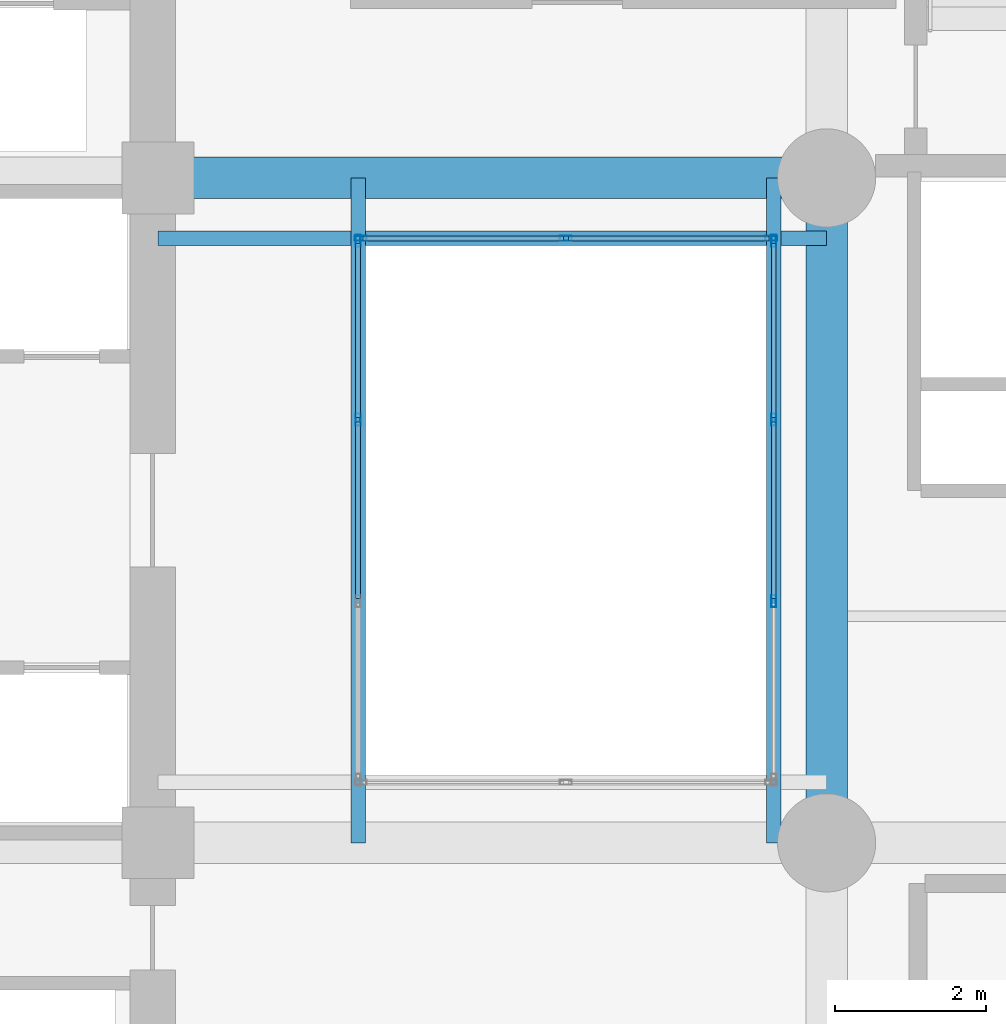
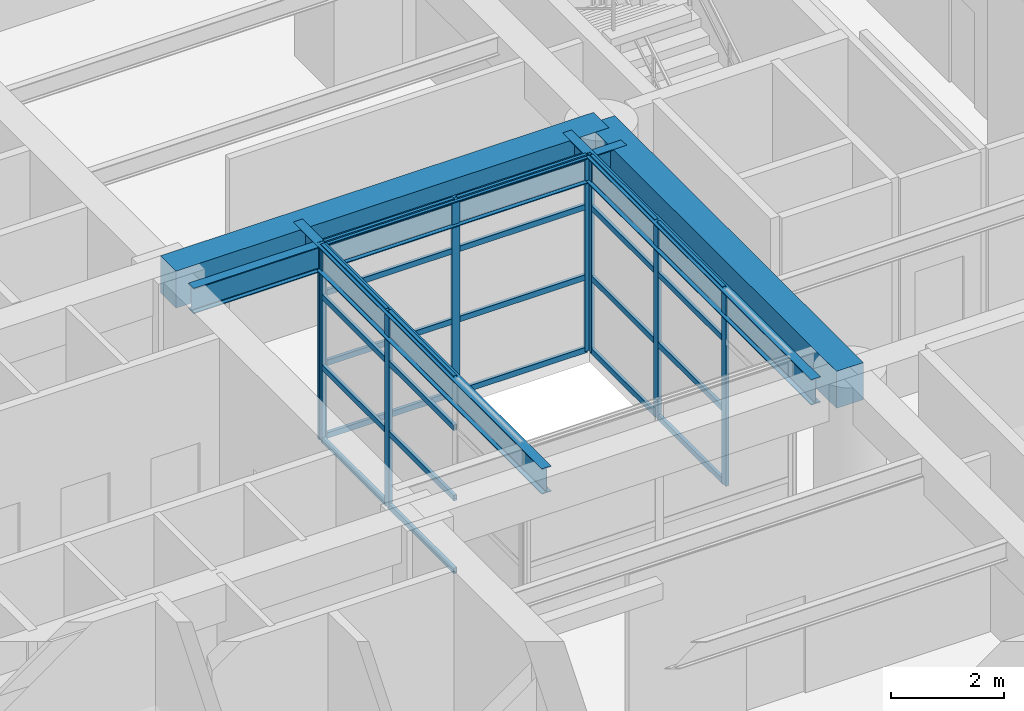
# One storey, part 4 of 10: 32 members, 5 beams, 3 elements without a shape of their own.
"""IFC4 building model written with IfcOpenShell, lengths in metres."""

import ifcopenshell
import ifcopenshell.guid

model = None  # the IFC model being written
_history = None  # IfcOwnerHistory: only IFC2X3 demands one
_inside = {}  # id of a spatial element -> (the spatial element, [elements in it])
_under = {}  # id of a project, library or spatial element -> (it, [spatial elements below it])
_declared = {}  # id of a project -> (the project, [libraries it declares])
_typed = {}  # id of a type object -> (the type object, [elements of that type])
_made_of = {}  # id of a material, layer set ... -> (it, [elements and type objects made of it])


def new_model(schema):
    """Start an empty IFC model of exactly this schema.

    Asked for "IFC4X3", IfcOpenShell would pick the latest addendum, in which some entities
    have other attributes; the version numbers below select the first issue.
    IFC2X3 requires an IfcOwnerHistory on every rooted entity: one is made here for all.
    """
    global model, _history
    if schema == "IFC4X3":
        model = ifcopenshell.file(schema_version=(4, 3, 0, 0))
    else:
        model = ifcopenshell.file(schema=schema)
    _inside.clear()
    _under.clear()
    _declared.clear()
    _typed.clear()
    _made_of.clear()
    _history = None
    if model.schema == "IFC2X3":
        org = make("IfcOrganization", Name="unknown")
        user = make(
            "IfcPersonAndOrganization",
            ThePerson=make("IfcPerson", FamilyName="unknown"),
            TheOrganization=org,
        )
        app = make(
            "IfcApplication",
            ApplicationDeveloper=org,
            Version="unknown",
            ApplicationFullName="unknown",
            ApplicationIdentifier="unknown",
        )
        _history = make(
            "IfcOwnerHistory",
            OwningUser=user,
            OwningApplication=app,
            ChangeAction="ADDED",
            CreationDate=0,
        )
    return model


def make(cls, **values):
    """One entity of the class cls with the attributes given. An attribute that is None is left unset."""
    return model.create_entity(
        cls, **{name: value for name, value in values.items() if value is not None}
    )


def rooted(cls, **values):
    """An entity with a GlobalId (a new one), such as an element, a storey or a relation."""
    return make(cls, GlobalId=ifcopenshell.guid.new(), OwnerHistory=_history, **values)


def si_unit(unit_type, name, prefix=None):
    """IfcSIUnit, for example si_unit("LENGTHUNIT", "METRE", prefix="MILLI")."""
    return make("IfcSIUnit", UnitType=unit_type, Prefix=prefix, Name=name)


def assignment(units):
    """IfcUnitAssignment: the units of a project."""
    return None if units is None else make("IfcUnitAssignment", Units=units)


def point(xyz):
    """IfcCartesianPoint."""
    return None if xyz is None else make("IfcCartesianPoint", Coordinates=xyz)


def direction(xyz):
    """IfcDirection."""
    return None if xyz is None else make("IfcDirection", DirectionRatios=xyz)


def frame(location, z_axis=None, x_axis=None):
    """IfcAxis2Placement3D, a coordinate frame: its origin and axes. An axis left out is left unset."""
    return make(
        "IfcAxis2Placement3D",
        Location=point(location),
        Axis=direction(z_axis),
        RefDirection=direction(x_axis),
    )


def frame_2d(location, x_axis=None):
    """IfcAxis2Placement2D, a coordinate frame in the plane: its origin and x axis."""
    return make(
        "IfcAxis2Placement2D", Location=point(location), RefDirection=direction(x_axis)
    )


def origin():
    """The frame at (0, 0, 0) with its axes left unset."""
    return frame((0.0, 0.0, 0.0))


def origin_2d():
    """The frame at (0, 0) in the plane with its x axis left unset."""
    return frame_2d((0.0, 0.0))


def place(relative_to, where):
    """IfcLocalPlacement: puts the frame where relative to a parent placement (None: the world)."""
    return make(
        "IfcLocalPlacement", PlacementRelTo=relative_to, RelativePlacement=where
    )


def context(
    kind, dimensions, precision=None, world=None, true_north=None, identifier=None
):
    """IfcGeometricRepresentationContext, for example the 3D "Model" context."""
    return make(
        "IfcGeometricRepresentationContext",
        ContextIdentifier=identifier,
        ContextType=kind,
        CoordinateSpaceDimension=dimensions,
        Precision=precision,
        WorldCoordinateSystem=world,
        TrueNorth=true_north,
    )


def subcontext(parent, identifier, kind, view, scale=None):
    """IfcGeometricRepresentationSubContext, for example "Body" below "Model"."""
    return make(
        "IfcGeometricRepresentationSubContext",
        ContextIdentifier=identifier,
        ContextType=kind,
        ParentContext=parent,
        TargetScale=scale,
        TargetView=view,
    )


def project(units=None, contexts=None):
    """IfcProject with its units and contexts."""
    return rooted(
        "IfcProject",
        Name="project",
        RepresentationContexts=contexts,
        UnitsInContext=assignment(units),
    )


def spatial(cls, under=None, at=None, **own):
    """A site, building, storey or space (cls), placed at a placement, below another one or the project."""
    s = rooted(cls, ObjectPlacement=at, **own)
    if under is not None:
        _under.setdefault(under.id(), (under, []))[1].append(s)
    return s


def profile(cls, at=None, kind="AREA", **sizes):
    """A parametric profile (cls). Its sizes go by their IFC names, for example OverallWidth=200.0."""
    return make(cls, ProfileType=kind, Position=at, **sizes)


def rectangle(**sizes):
    """IfcRectangleProfileDef."""
    return profile("IfcRectangleProfileDef", **sizes)


def hollow_rectangle(**sizes):
    """IfcRectangleHollowProfileDef."""
    return profile("IfcRectangleHollowProfileDef", **sizes)


def i_section(**sizes):
    """IfcIShapeProfileDef."""
    return profile("IfcIShapeProfileDef", **sizes)


def extrude(swept, where, along, depth):
    """IfcExtrudedAreaSolid: the profile swept, set in the frame where, extruded along a direction by depth."""
    return make(
        "IfcExtrudedAreaSolid",
        SweptArea=swept,
        Position=where,
        ExtrudedDirection=direction(along),
        Depth=depth,
    )


def shape(context_of_items, identifier, shape_type, items):
    """IfcShapeRepresentation: the items that make up one representation, for example the "Body"."""
    return make(
        "IfcShapeRepresentation",
        ContextOfItems=context_of_items,
        RepresentationIdentifier=identifier,
        RepresentationType=shape_type,
        Items=items,
    )


def material(Name=None, Category=None):
    """IfcMaterial."""
    return make("IfcMaterial", Name=Name, Category=Category)


def layer(
    of_material, thickness, ventilated=None, Name=None, Category=None, Priority=None
):
    """IfcMaterialLayer: one layer of a wall or slab, of a material (None: an air gap)."""
    return make(
        "IfcMaterialLayer",
        Material=of_material,
        LayerThickness=thickness,
        IsVentilated=ventilated,
        Name=Name,
        Category=Category,
        Priority=Priority,
    )


def layer_set(layers, Name=None):
    """IfcMaterialLayerSet."""
    return make("IfcMaterialLayerSet", MaterialLayers=layers, LayerSetName=Name)


def material_profile(
    of_material, cross_section, Name=None, Category=None, Priority=None
):
    """IfcMaterialProfile: a cross section and its material."""
    return make(
        "IfcMaterialProfile",
        Name=Name,
        Material=of_material,
        Profile=cross_section,
        Priority=Priority,
        Category=Category,
    )


def profile_set(profiles, Name=None, composite=None):
    """IfcMaterialProfileSet."""
    return make(
        "IfcMaterialProfileSet",
        Name=Name,
        MaterialProfiles=profiles,
        CompositeProfile=composite,
    )


def made_of(thing, what):
    """Note that an element or type object is made of a material, layer set ...; save() writes the relation."""
    if what is not None:
        _made_of.setdefault(what.id(), (what, []))[1].append(thing)
    return thing


def type_object(cls, material=None, **own):
    """A type object (cls), such as IfcWallType, which elements share."""
    return made_of(rooted(cls, **own), material)


def element(
    cls,
    number,
    at=None,
    inside=None,
    cuts=None,
    type_object=None,
    material=None,
    context=None,
    identifier="Body",
    shape_type=None,
    held_by="IfcProductDefinitionShape",
    body=None,
    shapes=None,
    **own,
):
    """One element of the class cls, such as IfcWall. Its Tag is "e" and its number.

    at: its placement. inside: the storey or other place that contains it. cuts: it is an
    opening in that element (IfcRelVoidsElement). A single representation is given by context,
    identifier, shape_type and body (its items); several are given by shapes. held_by: the class
    of the entity that holds the representations. save() writes the other relations.
    """
    e = rooted(cls, Tag="e%d" % number, ObjectPlacement=at, **own)
    if body is not None:
        shapes = [shape(context, identifier, shape_type, body)]
    if shapes is not None:
        e.Representation = make(held_by, Representations=shapes)
    if inside is not None:
        _inside.setdefault(inside.id(), (inside, []))[1].append(e)
    if cuts is not None:
        rooted(
            "IfcRelVoidsElement", RelatingBuildingElement=cuts, RelatedOpeningElement=e
        )
    if type_object is not None:
        _typed.setdefault(type_object.id(), (type_object, []))[1].append(e)
    return made_of(e, material)


def aggregate(whole, parts):
    """IfcRelAggregates: a whole, such as a stair, and the parts it consists of."""
    return rooted("IfcRelAggregates", RelatingObject=whole, RelatedObjects=parts)


def save(model, path):
    """Write the relations noted so far, then the file.

    IfcRelAggregates (storeys below a building ...), IfcRelContainedInSpatialStructure (elements
    in a storey), IfcRelDefinesByType, IfcRelAssociatesMaterial and IfcRelDeclares: one each for
    every whole, place, type object, material and project.
    """
    for whole, parts in _under.values():
        aggregate(whole, parts)
    for where, things in _inside.values():
        rooted(
            "IfcRelContainedInSpatialStructure",
            RelatedElements=things,
            RelatingStructure=where,
        )
    for kind, things in _typed.values():
        rooted("IfcRelDefinesByType", RelatedObjects=things, RelatingType=kind)
    for what, things in _made_of.values():
        rooted("IfcRelAssociatesMaterial", RelatedObjects=things, RelatingMaterial=what)
    for by, libraries in _declared.values():
        rooted("IfcRelDeclares", RelatingContext=by, RelatedDefinitions=libraries)
    model.write(path)


model = new_model("IFC4")

# Units and contexts
model_context = context("Model", 3, precision=1e-05, world=origin(), true_north=direction((0.0, 1.0)))
body_context = subcontext(model_context, "Body", "Model", "MODEL_VIEW")
ifc_project = project(units=[si_unit("LENGTHUNIT", "METRE"), si_unit("AREAUNIT", "SQUARE_METRE"), si_unit("VOLUMEUNIT", "CUBIC_METRE"), si_unit("PLANEANGLEUNIT", "RADIAN"), si_unit("MASSUNIT", "GRAM", prefix="KILO")], contexts=[model_context])

# Site, building, storey
site_placement = place(None, origin())
site = spatial("IfcSite", under=ifc_project, at=site_placement, CompositionType="ELEMENT")
building_placement = place(site_placement, origin())
building = spatial("IfcBuilding", under=site, at=building_placement, Name="Kundavana Baori Tower", CompositionType="ELEMENT")
storey_placement = place(building_placement, frame((0.0, 0.0, 12.5)))
storey = spatial("IfcBuildingStorey", under=building, at=storey_placement, Name="L02", CompositionType="ELEMENT", Elevation=12.5)

# Beams
ifc_material_1 = material(Name="Concrete C50/60", Category="concrete")
ifc_material_profile_1 = material_profile(ifc_material_1, rectangle(XDim=0.550048828125, YDim=0.800048828125, at=origin_2d()), Name="RC BM 550x800")
ifc_profile_set_1 = profile_set([ifc_material_profile_1], Name="Concrete C50/60")
beam_type_1 = type_object("IfcBeamType", Name="BM-RC-800", PredefinedType="BEAM", material=ifc_profile_set_1)
beam_1_placement = place(storey_placement, frame((24.949951171875, 33.0, 3.820068359375), z_axis=(1.0, 0.0, 0.0), x_axis=(0.0, 1.0, 0.0)))
element("IfcBeam", 1, at=beam_1_placement, inside=storey, type_object=beam_type_1, Name="L02 Primary Grid Girder GX-3-2", PredefinedType="BEAM", context=body_context, shape_type="SweptSolid", body=[
    extrude(rectangle(XDim=0.550048828125, YDim=0.800048828125, at=origin_2d()), origin(), (0.0, 0.0, 1.0), 8.85009765625),
])
beam_2_placement = place(storey_placement, frame((33.800048828125, 24.199951171875, 3.820068359375), z_axis=(0.0, 1.0, 0.0), x_axis=(-1.0, 0.0, 0.0)))
element("IfcBeam", 2, at=beam_2_placement, inside=storey, type_object=beam_type_1, Name="L02 Primary Grid Girder GY-3-2", PredefinedType="BEAM", context=body_context, shape_type="SweptSolid", body=[
    extrude(rectangle(XDim=0.550048828125, YDim=0.800048828125, at=origin_2d()), origin(), (0.0, 0.0, 1.0), 8.800048828125),
])
ifc_material_2 = material(Name="Structural Steel S355JR", Category="steel")
ifc_material_profile_2 = material_profile(ifc_material_2, i_section(OverallWidth=0.18994140625, OverallDepth=0.550048828125, WebThickness=0.01123046875, FlangeThickness=0.019287109375, FilletRadius=0.01806640625, at=origin_2d()), Name="ISMB 550")
ifc_profile_set_2 = profile_set([ifc_material_profile_2], Name="Structural Steel S355JR")
beam_type_2 = type_object("IfcBeamType", Name="BM-ST-550", PredefinedType="BEAM", material=ifc_profile_set_2)
for number, where, z_axis, x_axis, name in (
    (3, (27.60009765625, 24.199951171875, 3.945068359375), (0.0, 1.0, 0.0), (-1.0, 0.0, 0.0), "L02 Atrium West Edge Beam"),
    (4, (33.10009765625, 24.199951171875, 3.945068359375), (0.0, 1.0, 0.0), (-1.0, 0.0, 0.0), "L02 Atrium East Edge Beam"),
):
    element("IfcBeam", number, at=place(storey_placement, frame(where, z_axis=z_axis, x_axis=x_axis)), inside=storey, type_object=beam_type_2, Name=name, PredefinedType="BEAM", context=body_context, shape_type="SweptSolid", body=[
        extrude(i_section(OverallWidth=0.18994140625, OverallDepth=0.550048828125, WebThickness=0.01123046875, FlangeThickness=0.019287109375, FilletRadius=0.01806640625, at=origin_2d()), origin(), (0.0, 0.0, 1.0), 8.800048828125),
    ])
beam_3_placement = place(storey_placement, frame((24.949951171875, 32.199951171875, 3.945068359375), z_axis=(1.0, 0.0, 0.0), x_axis=(0.0, 1.0, 0.0)))
element("IfcBeam", 5, at=beam_3_placement, inside=storey, type_object=beam_type_2, Name="L02 Atrium North Edge Beam", PredefinedType="BEAM", context=body_context, shape_type="SweptSolid", body=[
    extrude(i_section(OverallWidth=0.18994140625, OverallDepth=0.550048828125, WebThickness=0.01123046875, FlangeThickness=0.019287109375, FilletRadius=0.01806640625, at=origin_2d()), origin(), (0.0, 0.0, 1.0), 8.85009765625),
])

# Curtain wall, members
ifc_material_3 = material(Name="Thermally Broken Anodised Aluminium Framing", Category="aluminium")
ifc_layer = layer(ifc_material_3, 0.159912109375, Name="CW-SYS-1")
ifc_layer_set = layer_set([ifc_layer], Name="Thermally Broken Anodised Aluminium Framing")
curtain_wall_type = type_object("IfcCurtainWallType", Name="CW-SYS-1", PredefinedType="NOTDEFINED", material=ifc_layer_set)
curtain_wall_1_placement = place(storey_placement, origin())
curtain_wall_1 = element("IfcCurtainWall", 6, at=curtain_wall_1_placement, inside=storey, type_object=curtain_wall_type, Name="L02 Atrium Glazed Curtain Wall E", PredefinedType="NOTDEFINED")
ifc_material_4 = material(Name="Thermally Broken Anodised Aluminium Framing", Category="aluminium")
ifc_material_profile_3 = material_profile(ifc_material_4, hollow_rectangle(XDim=0.06494140625, YDim=0.159912109375, WallThickness=0.00390625, at=origin_2d()), Name="CW-MULL-160")
ifc_profile_set_3 = profile_set([ifc_material_profile_3], Name="Thermally Broken Anodised Aluminium Framing")
member_type_1 = type_object("IfcMemberType", Name="CW-MULL-160", PredefinedType="MULLION", material=ifc_profile_set_3)
member_1_placement = place(storey_placement, frame((33.10009765625, 27.39990234375, 0.0), z_axis=(0.0, 0.0, 1.0), x_axis=(-1.0, 0.0, 0.0)))
member_1 = element("IfcMember", 7, at=member_1_placement, type_object=member_type_1, Name="CW1 mullion 2", PredefinedType="MULLION", context=body_context, shape_type="SweptSolid", body=[
    extrude(hollow_rectangle(XDim=0.06494140625, YDim=0.159912109375, WallThickness=0.00390625, at=origin_2d()), origin(), (0.0, 0.0, 1.0), 4.219970703125),
])
member_2_placement = place(storey_placement, frame((33.10009765625, 29.800048828125, 0.0), z_axis=(0.0, 0.0, 1.0), x_axis=(-1.0, 0.0, 0.0)))
member_2 = element("IfcMember", 8, at=member_2_placement, type_object=member_type_1, Name="CW1 mullion 3", PredefinedType="MULLION", context=body_context, shape_type="SweptSolid", body=[
    extrude(hollow_rectangle(XDim=0.06494140625, YDim=0.159912109375, WallThickness=0.00390625, at=origin_2d()), origin(), (0.0, 0.0, 1.0), 4.219970703125),
])
member_3_placement = place(storey_placement, frame((33.10009765625, 32.16748046875, 0.0), z_axis=(0.0, 0.0, 1.0), x_axis=(-1.0, 0.0, 0.0)))
member_3 = element("IfcMember", 9, at=member_3_placement, type_object=member_type_1, Name="CW1 mullion 4", PredefinedType="MULLION", context=body_context, shape_type="SweptSolid", body=[
    extrude(hollow_rectangle(XDim=0.06494140625, YDim=0.159912109375, WallThickness=0.00390625, at=origin_2d()), origin(), (0.0, 0.0, 1.0), 4.219970703125),
])

curtain_wall_2_placement = place(storey_placement, origin())
curtain_wall_2 = element("IfcCurtainWall", 10, at=curtain_wall_2_placement, inside=storey, type_object=curtain_wall_type, Name="L02 Atrium Glazed Curtain Wall N", PredefinedType="NOTDEFINED")
member_4_placement = place(storey_placement, frame((33.0673828125, 32.199951171875, 0.0), z_axis=(0.0, 0.0, 1.0), x_axis=(0.0, -1.0, 0.0)))
member_4 = element("IfcMember", 11, at=member_4_placement, type_object=member_type_1, Name="CW1 mullion 1", PredefinedType="MULLION", context=body_context, shape_type="SweptSolid", body=[
    extrude(hollow_rectangle(XDim=0.06494140625, YDim=0.159912109375, WallThickness=0.00390625, at=origin_2d()), origin(), (0.0, 0.0, 1.0), 4.219970703125),
])
member_5_placement = place(storey_placement, frame((30.35009765625, 32.199951171875, 0.0), z_axis=(0.0, 0.0, 1.0), x_axis=(0.0, -1.0, 0.0)))
member_5 = element("IfcMember", 12, at=member_5_placement, type_object=member_type_1, Name="CW1 mullion 2", PredefinedType="MULLION", context=body_context, shape_type="SweptSolid", body=[
    extrude(hollow_rectangle(XDim=0.06494140625, YDim=0.159912109375, WallThickness=0.00390625, at=origin_2d()), origin(), (0.0, 0.0, 1.0), 4.219970703125),
])
member_6_placement = place(storey_placement, frame((27.632568359375, 32.199951171875, 0.0), z_axis=(0.0, 0.0, 1.0), x_axis=(0.0, -1.0, 0.0)))
member_6 = element("IfcMember", 13, at=member_6_placement, type_object=member_type_1, Name="CW1 mullion 3", PredefinedType="MULLION", context=body_context, shape_type="SweptSolid", body=[
    extrude(hollow_rectangle(XDim=0.06494140625, YDim=0.159912109375, WallThickness=0.00390625, at=origin_2d()), origin(), (0.0, 0.0, 1.0), 4.219970703125),
])

curtain_wall_3_placement = place(storey_placement, origin())
curtain_wall_3 = element("IfcCurtainWall", 14, at=curtain_wall_3_placement, inside=storey, type_object=curtain_wall_type, Name="L02 Atrium Glazed Curtain Wall W", PredefinedType="NOTDEFINED")
member_7_placement = place(storey_placement, frame((27.60009765625, 32.16748046875, 0.0), z_axis=(0.0, 0.0, 1.0), x_axis=(1.0, 0.0, 0.0)))
member_7 = element("IfcMember", 15, at=member_7_placement, type_object=member_type_1, Name="CW1 mullion 1", PredefinedType="MULLION", context=body_context, shape_type="SweptSolid", body=[
    extrude(hollow_rectangle(XDim=0.06494140625, YDim=0.159912109375, WallThickness=0.00390625, at=origin_2d()), origin(), (0.0, 0.0, 1.0), 4.219970703125),
])
member_8_placement = place(storey_placement, frame((27.60009765625, 29.800048828125, 0.0), z_axis=(0.0, 0.0, 1.0), x_axis=(1.0, 0.0, 0.0)))
member_8 = element("IfcMember", 16, at=member_8_placement, type_object=member_type_1, Name="CW1 mullion 2", PredefinedType="MULLION", context=body_context, shape_type="SweptSolid", body=[
    extrude(hollow_rectangle(XDim=0.06494140625, YDim=0.159912109375, WallThickness=0.00390625, at=origin_2d()), origin(), (0.0, 0.0, 1.0), 4.219970703125),
])

# Member
ifc_material_5 = material(Name="Thermally Broken Anodised Aluminium Framing", Category="aluminium")
ifc_material_profile_4 = material_profile(ifc_material_5, hollow_rectangle(XDim=0.06494140625, YDim=0.1201171875, WallThickness=0.00390625, at=origin_2d()), Name="CW-TRAN-120")
ifc_profile_set_4 = profile_set([ifc_material_profile_4], Name="Thermally Broken Anodised Aluminium Framing")
member_type_2 = type_object("IfcMemberType", Name="CW-TRAN-120", PredefinedType="USERDEFINED", material=ifc_profile_set_4)
member_9_placement = place(storey_placement, frame((33.10009765625, 27.4326171875, 0.032470703125), z_axis=(0.0, 1.0, 0.0), x_axis=(-1.0, 0.0, 0.0)))
member_9 = element("IfcMember", 17, at=member_9_placement, type_object=member_type_2, Name="CW1 transom 2.1", ObjectType="TRANSOM", PredefinedType="USERDEFINED", context=body_context, shape_type="SweptSolid", body=[
    extrude(hollow_rectangle(XDim=0.06494140625, YDim=0.1201171875, WallThickness=0.00390625, at=origin_2d()), origin(), (0.0, 0.0, 1.0), 2.3349609375),
])

member_10_placement = place(storey_placement, frame((33.10009765625, 27.4326171875, 1.603515625), z_axis=(0.0, 1.0, 0.0), x_axis=(-1.0, 0.0, 0.0)))
member_10 = element("IfcMember", 18, at=member_10_placement, type_object=member_type_2, Name="CW1 transom 2.2", ObjectType="TRANSOM", PredefinedType="USERDEFINED", context=body_context, shape_type="SweptSolid", body=[
    extrude(hollow_rectangle(XDim=0.06494140625, YDim=0.1201171875, WallThickness=0.00390625, at=origin_2d()), origin(), (0.0, 0.0, 1.0), 2.3349609375),
])

member_11_placement = place(storey_placement, frame((33.10009765625, 27.4326171875, 3.122802734375), z_axis=(0.0, 1.0, 0.0), x_axis=(-1.0, 0.0, 0.0)))
member_11 = element("IfcMember", 19, at=member_11_placement, type_object=member_type_2, Name="CW1 transom 2.3", ObjectType="TRANSOM", PredefinedType="USERDEFINED", context=body_context, shape_type="SweptSolid", body=[
    extrude(hollow_rectangle(XDim=0.06494140625, YDim=0.1201171875, WallThickness=0.00390625, at=origin_2d()), origin(), (0.0, 0.0, 1.0), 2.3349609375),
])

member_12_placement = place(storey_placement, frame((33.10009765625, 27.4326171875, 4.1875), z_axis=(0.0, 1.0, 0.0), x_axis=(-1.0, 0.0, 0.0)))
member_12 = element("IfcMember", 20, at=member_12_placement, type_object=member_type_2, Name="CW1 transom 2.4", ObjectType="TRANSOM", PredefinedType="USERDEFINED", context=body_context, shape_type="SweptSolid", body=[
    extrude(hollow_rectangle(XDim=0.06494140625, YDim=0.1201171875, WallThickness=0.00390625, at=origin_2d()), origin(), (0.0, 0.0, 1.0), 2.3349609375),
])

member_13_placement = place(storey_placement, frame((33.10009765625, 29.83251953125, 0.032470703125), z_axis=(0.0, 1.0, 0.0), x_axis=(-1.0, 0.0, 0.0)))
member_13 = element("IfcMember", 21, at=member_13_placement, type_object=member_type_2, Name="CW1 transom 3.1", ObjectType="TRANSOM", PredefinedType="USERDEFINED", context=body_context, shape_type="SweptSolid", body=[
    extrude(hollow_rectangle(XDim=0.06494140625, YDim=0.1201171875, WallThickness=0.00390625, at=origin_2d()), origin(), (0.0, 0.0, 1.0), 2.302490234375),
])

member_14_placement = place(storey_placement, frame((33.10009765625, 29.83251953125, 1.603515625), z_axis=(0.0, 1.0, 0.0), x_axis=(-1.0, 0.0, 0.0)))
member_14 = element("IfcMember", 22, at=member_14_placement, type_object=member_type_2, Name="CW1 transom 3.2", ObjectType="TRANSOM", PredefinedType="USERDEFINED", context=body_context, shape_type="SweptSolid", body=[
    extrude(hollow_rectangle(XDim=0.06494140625, YDim=0.1201171875, WallThickness=0.00390625, at=origin_2d()), origin(), (0.0, 0.0, 1.0), 2.302490234375),
])

member_15_placement = place(storey_placement, frame((33.10009765625, 29.83251953125, 3.122802734375), z_axis=(0.0, 1.0, 0.0), x_axis=(-1.0, 0.0, 0.0)))
member_15 = element("IfcMember", 23, at=member_15_placement, type_object=member_type_2, Name="CW1 transom 3.3", ObjectType="TRANSOM", PredefinedType="USERDEFINED", context=body_context, shape_type="SweptSolid", body=[
    extrude(hollow_rectangle(XDim=0.06494140625, YDim=0.1201171875, WallThickness=0.00390625, at=origin_2d()), origin(), (0.0, 0.0, 1.0), 2.302490234375),
])

member_16_placement = place(storey_placement, frame((33.10009765625, 29.83251953125, 4.1875), z_axis=(0.0, 1.0, 0.0), x_axis=(-1.0, 0.0, 0.0)))
member_16 = element("IfcMember", 24, at=member_16_placement, type_object=member_type_2, Name="CW1 transom 3.4", ObjectType="TRANSOM", PredefinedType="USERDEFINED", context=body_context, shape_type="SweptSolid", body=[
    extrude(hollow_rectangle(XDim=0.06494140625, YDim=0.1201171875, WallThickness=0.00390625, at=origin_2d()), origin(), (0.0, 0.0, 1.0), 2.302490234375),
])

aggregate(curtain_wall_1, [member_1, member_2, member_3, member_9, member_10, member_11, member_12, member_13, member_14, member_15, member_16])

member_17_placement = place(storey_placement, frame((33.034912109375, 32.199951171875, 0.032470703125), z_axis=(-1.0, 0.0, 0.0), x_axis=(0.0, -1.0, 0.0)))
member_17 = element("IfcMember", 25, at=member_17_placement, type_object=member_type_2, Name="CW1 transom 1.1", ObjectType="TRANSOM", PredefinedType="USERDEFINED", context=body_context, shape_type="SweptSolid", body=[
    extrude(hollow_rectangle(XDim=0.06494140625, YDim=0.1201171875, WallThickness=0.00390625, at=origin_2d()), origin(), (0.0, 0.0, 1.0), 2.65234375),
])

member_18_placement = place(storey_placement, frame((33.034912109375, 32.199951171875, 1.603515625), z_axis=(-1.0, 0.0, 0.0), x_axis=(0.0, -1.0, 0.0)))
member_18 = element("IfcMember", 26, at=member_18_placement, type_object=member_type_2, Name="CW1 transom 1.2", ObjectType="TRANSOM", PredefinedType="USERDEFINED", context=body_context, shape_type="SweptSolid", body=[
    extrude(hollow_rectangle(XDim=0.06494140625, YDim=0.1201171875, WallThickness=0.00390625, at=origin_2d()), origin(), (0.0, 0.0, 1.0), 2.65234375),
])

member_19_placement = place(storey_placement, frame((33.034912109375, 32.199951171875, 3.122802734375), z_axis=(-1.0, 0.0, 0.0), x_axis=(0.0, -1.0, 0.0)))
member_19 = element("IfcMember", 27, at=member_19_placement, type_object=member_type_2, Name="CW1 transom 1.3", ObjectType="TRANSOM", PredefinedType="USERDEFINED", context=body_context, shape_type="SweptSolid", body=[
    extrude(hollow_rectangle(XDim=0.06494140625, YDim=0.1201171875, WallThickness=0.00390625, at=origin_2d()), origin(), (0.0, 0.0, 1.0), 2.65234375),
])

member_20_placement = place(storey_placement, frame((33.034912109375, 32.199951171875, 4.1875), z_axis=(-1.0, 0.0, 0.0), x_axis=(0.0, -1.0, 0.0)))
member_20 = element("IfcMember", 28, at=member_20_placement, type_object=member_type_2, Name="CW1 transom 1.4", ObjectType="TRANSOM", PredefinedType="USERDEFINED", context=body_context, shape_type="SweptSolid", body=[
    extrude(hollow_rectangle(XDim=0.06494140625, YDim=0.1201171875, WallThickness=0.00390625, at=origin_2d()), origin(), (0.0, 0.0, 1.0), 2.65234375),
])

member_21_placement = place(storey_placement, frame((30.3173828125, 32.199951171875, 0.032470703125), z_axis=(-1.0, 0.0, 0.0), x_axis=(0.0, -1.0, 0.0)))
member_21 = element("IfcMember", 29, at=member_21_placement, type_object=member_type_2, Name="CW1 transom 2.1", ObjectType="TRANSOM", PredefinedType="USERDEFINED", context=body_context, shape_type="SweptSolid", body=[
    extrude(hollow_rectangle(XDim=0.06494140625, YDim=0.1201171875, WallThickness=0.00390625, at=origin_2d()), origin(), (0.0, 0.0, 1.0), 2.65234375),
])

member_22_placement = place(storey_placement, frame((30.3173828125, 32.199951171875, 1.603515625), z_axis=(-1.0, 0.0, 0.0), x_axis=(0.0, -1.0, 0.0)))
member_22 = element("IfcMember", 30, at=member_22_placement, type_object=member_type_2, Name="CW1 transom 2.2", ObjectType="TRANSOM", PredefinedType="USERDEFINED", context=body_context, shape_type="SweptSolid", body=[
    extrude(hollow_rectangle(XDim=0.06494140625, YDim=0.1201171875, WallThickness=0.00390625, at=origin_2d()), origin(), (0.0, 0.0, 1.0), 2.65234375),
])

member_23_placement = place(storey_placement, frame((30.3173828125, 32.199951171875, 3.122802734375), z_axis=(-1.0, 0.0, 0.0), x_axis=(0.0, -1.0, 0.0)))
member_23 = element("IfcMember", 31, at=member_23_placement, type_object=member_type_2, Name="CW1 transom 2.3", ObjectType="TRANSOM", PredefinedType="USERDEFINED", context=body_context, shape_type="SweptSolid", body=[
    extrude(hollow_rectangle(XDim=0.06494140625, YDim=0.1201171875, WallThickness=0.00390625, at=origin_2d()), origin(), (0.0, 0.0, 1.0), 2.65234375),
])

member_24_placement = place(storey_placement, frame((30.3173828125, 32.199951171875, 4.1875), z_axis=(-1.0, 0.0, 0.0), x_axis=(0.0, -1.0, 0.0)))
member_24 = element("IfcMember", 32, at=member_24_placement, type_object=member_type_2, Name="CW1 transom 2.4", ObjectType="TRANSOM", PredefinedType="USERDEFINED", context=body_context, shape_type="SweptSolid", body=[
    extrude(hollow_rectangle(XDim=0.06494140625, YDim=0.1201171875, WallThickness=0.00390625, at=origin_2d()), origin(), (0.0, 0.0, 1.0), 2.65234375),
])

aggregate(curtain_wall_2, [member_4, member_5, member_6, member_17, member_18, member_19, member_20, member_21, member_22, member_23, member_24])

member_25_placement = place(storey_placement, frame((27.60009765625, 32.135009765625, 0.032470703125), z_axis=(0.0, -1.0, 0.0), x_axis=(1.0, 0.0, 0.0)))
member_25 = element("IfcMember", 33, at=member_25_placement, type_object=member_type_2, Name="CW1 transom 1.1", ObjectType="TRANSOM", PredefinedType="USERDEFINED", context=body_context, shape_type="SweptSolid", body=[
    extrude(hollow_rectangle(XDim=0.06494140625, YDim=0.1201171875, WallThickness=0.00390625, at=origin_2d()), origin(), (0.0, 0.0, 1.0), 2.302490234375),
])

member_26_placement = place(storey_placement, frame((27.60009765625, 32.135009765625, 1.603515625), z_axis=(0.0, -1.0, 0.0), x_axis=(1.0, 0.0, 0.0)))
member_26 = element("IfcMember", 34, at=member_26_placement, type_object=member_type_2, Name="CW1 transom 1.2", ObjectType="TRANSOM", PredefinedType="USERDEFINED", context=body_context, shape_type="SweptSolid", body=[
    extrude(hollow_rectangle(XDim=0.06494140625, YDim=0.1201171875, WallThickness=0.00390625, at=origin_2d()), origin(), (0.0, 0.0, 1.0), 2.302490234375),
])

member_27_placement = place(storey_placement, frame((27.60009765625, 32.135009765625, 3.122802734375), z_axis=(0.0, -1.0, 0.0), x_axis=(1.0, 0.0, 0.0)))
member_27 = element("IfcMember", 35, at=member_27_placement, type_object=member_type_2, Name="CW1 transom 1.3", ObjectType="TRANSOM", PredefinedType="USERDEFINED", context=body_context, shape_type="SweptSolid", body=[
    extrude(hollow_rectangle(XDim=0.06494140625, YDim=0.1201171875, WallThickness=0.00390625, at=origin_2d()), origin(), (0.0, 0.0, 1.0), 2.302490234375),
])

member_28_placement = place(storey_placement, frame((27.60009765625, 32.135009765625, 4.1875), z_axis=(0.0, -1.0, 0.0), x_axis=(1.0, 0.0, 0.0)))
member_28 = element("IfcMember", 36, at=member_28_placement, type_object=member_type_2, Name="CW1 transom 1.4", ObjectType="TRANSOM", PredefinedType="USERDEFINED", context=body_context, shape_type="SweptSolid", body=[
    extrude(hollow_rectangle(XDim=0.06494140625, YDim=0.1201171875, WallThickness=0.00390625, at=origin_2d()), origin(), (0.0, 0.0, 1.0), 2.302490234375),
])

member_29_placement = place(storey_placement, frame((27.60009765625, 29.767578125, 0.032470703125), z_axis=(0.0, -1.0, 0.0), x_axis=(1.0, 0.0, 0.0)))
member_29 = element("IfcMember", 37, at=member_29_placement, type_object=member_type_2, Name="CW1 transom 2.1", ObjectType="TRANSOM", PredefinedType="USERDEFINED", context=body_context, shape_type="SweptSolid", body=[
    extrude(hollow_rectangle(XDim=0.06494140625, YDim=0.1201171875, WallThickness=0.00390625, at=origin_2d()), origin(), (0.0, 0.0, 1.0), 2.3349609375),
])

member_30_placement = place(storey_placement, frame((27.60009765625, 29.767578125, 1.603515625), z_axis=(0.0, -1.0, 0.0), x_axis=(1.0, 0.0, 0.0)))
member_30 = element("IfcMember", 38, at=member_30_placement, type_object=member_type_2, Name="CW1 transom 2.2", ObjectType="TRANSOM", PredefinedType="USERDEFINED", context=body_context, shape_type="SweptSolid", body=[
    extrude(hollow_rectangle(XDim=0.06494140625, YDim=0.1201171875, WallThickness=0.00390625, at=origin_2d()), origin(), (0.0, 0.0, 1.0), 2.3349609375),
])

member_31_placement = place(storey_placement, frame((27.60009765625, 29.767578125, 3.122802734375), z_axis=(0.0, -1.0, 0.0), x_axis=(1.0, 0.0, 0.0)))
member_31 = element("IfcMember", 39, at=member_31_placement, type_object=member_type_2, Name="CW1 transom 2.3", ObjectType="TRANSOM", PredefinedType="USERDEFINED", context=body_context, shape_type="SweptSolid", body=[
    extrude(hollow_rectangle(XDim=0.06494140625, YDim=0.1201171875, WallThickness=0.00390625, at=origin_2d()), origin(), (0.0, 0.0, 1.0), 2.3349609375),
])

member_32_placement = place(storey_placement, frame((27.60009765625, 29.767578125, 4.1875), z_axis=(0.0, -1.0, 0.0), x_axis=(1.0, 0.0, 0.0)))
member_32 = element("IfcMember", 40, at=member_32_placement, type_object=member_type_2, Name="CW1 transom 2.4", ObjectType="TRANSOM", PredefinedType="USERDEFINED", context=body_context, shape_type="SweptSolid", body=[
    extrude(hollow_rectangle(XDim=0.06494140625, YDim=0.1201171875, WallThickness=0.00390625, at=origin_2d()), origin(), (0.0, 0.0, 1.0), 2.3349609375),
])

aggregate(curtain_wall_3, [member_7, member_8, member_25, member_26, member_27, member_28, member_29, member_30, member_31, member_32])

save(model, "model.ifc")
